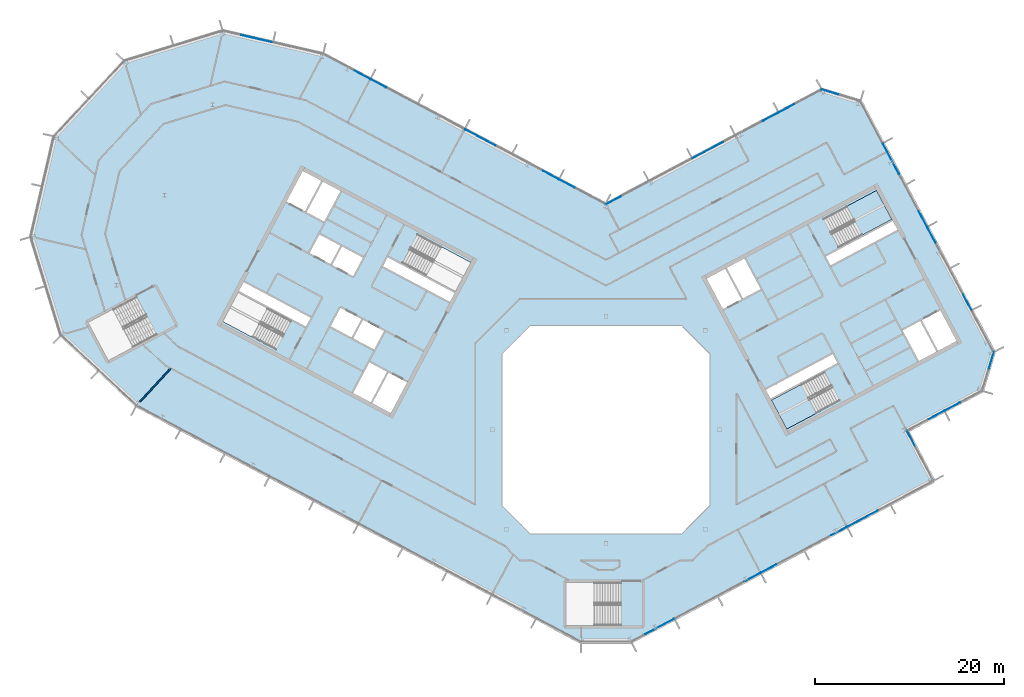
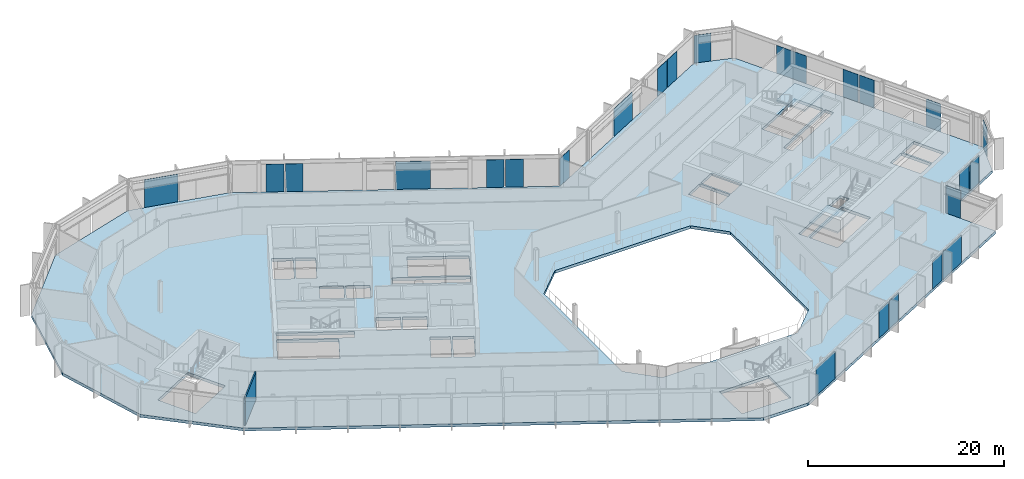
# One storey, part 12 of 26: 24 plates, 3 slabs, 1 wall, 11 elements without a shape of their own.
"""IFC4 building model written with IfcOpenShell, lengths in metres."""

from ifc_helpers import new_model, si_unit, direction, frame, frame_2d, origin, origin_2d, place, context, subcontext, project, spatial, polyline, rectangle, outline, extrude, material, layer, layer_set, type_object, element, aggregate, save


model = new_model("IFC4")

# Units and contexts
model_context = context("Model", 3, precision=1e-05, world=origin(), true_north=direction((0.0, 1.0)))
body_context = subcontext(model_context, "Body", "Model", "MODEL_VIEW")
ifc_project = project(units=[si_unit("LENGTHUNIT", "METRE"), si_unit("AREAUNIT", "SQUARE_METRE"), si_unit("VOLUMEUNIT", "CUBIC_METRE"), si_unit("PLANEANGLEUNIT", "RADIAN"), si_unit("MASSUNIT", "GRAM", prefix="KILO")], contexts=[model_context])

# Site, building, storey
site_placement = place(None, origin())
site = spatial("IfcSite", under=ifc_project, at=site_placement, CompositionType="ELEMENT")
building_placement = place(site_placement, origin())
building = spatial("IfcBuilding", under=site, at=building_placement, Name="Cormorant Relay Tower", CompositionType="ELEMENT")
storey_placement = place(building_placement, frame((0.0, 0.0, 316.5)))
storey = spatial("IfcBuildingStorey", under=building, at=storey_placement, Name="L72", CompositionType="ELEMENT", Elevation=316.5)

# Curtain wall, plates
ifc_material_1 = material(Name="Aluminium 6063-T6 anodised bronze", Category="aluminium")
ifc_layer_1 = layer(ifc_material_1, 0.199951171875)
ifc_layer_set_1 = layer_set([ifc_layer_1], Name="CW1 unitised bronze curtain wall with vertical fins")
curtain_wall_type = type_object("IfcCurtainWallType", Name="CW1 unitised bronze curtain wall with vertical fins", PredefinedType="NOTDEFINED", material=ifc_layer_set_1)
curtain_wall_1_placement = place(storey_placement, origin())
curtain_wall_1 = element("IfcCurtainWall", 1, at=curtain_wall_1_placement, inside=storey, type_object=curtain_wall_type, Name="CW1 curtain wall 2", PredefinedType="NOTDEFINED")
ifc_material_2 = material(Name="Tinted laminated glass", Category="glass")
ifc_layer_2 = layer(ifc_material_2, 0.0400390625)
ifc_layer_set_2 = layer_set([ifc_layer_2], Name="CW1 tinted vision panel 1800 module")
plate_type_1 = type_object("IfcPlateType", Name="CW1 tinted vision panel 1800 module", PredefinedType="CURTAIN_PANEL", material=ifc_layer_set_2)
plate_1_placement = place(storey_placement, frame((15.48291015625, -15.57421875, 0.0), z_axis=(0.0, 0.0, 1.0), x_axis=(0.882947592859, 0.469471562786, 0.0)))
plate_1 = element("IfcPlate", 2, at=plate_1_placement, type_object=plate_type_1, Name="CW1 panel V03", PredefinedType="CURTAIN_PANEL", context=body_context, shape_type="SweptSolid", body=[
    extrude(rectangle(XDim=1.800048828125, YDim=0.0400390625, at=origin_2d()), origin(), (0.0, 0.0, 1.0), 3.449951171875),
])
plate_2_placement = place(storey_placement, frame((17.20458984375, -14.65869140625, 0.0), z_axis=(0.0, 0.0, 1.0), x_axis=(0.882947592859, 0.469471562786, 0.0)))
plate_2 = element("IfcPlate", 3, at=plate_2_placement, type_object=plate_type_1, Name="CW1 panel V04", PredefinedType="CURTAIN_PANEL", context=body_context, shape_type="SweptSolid", body=[
    extrude(rectangle(XDim=1.800048828125, YDim=0.0400390625, at=origin_2d()), origin(), (0.0, 0.0, 1.0), 3.449951171875),
])
plate_3_placement = place(storey_placement, frame((24.6064453125, -10.72314453125, 0.0), z_axis=(0.0, 0.0, 1.0), x_axis=(0.882947592859, 0.469471562786, 0.0)))
plate_3 = element("IfcPlate", 4, at=plate_3_placement, type_object=plate_type_1, Name="CW1 panel V06", PredefinedType="CURTAIN_PANEL", context=body_context, shape_type="SweptSolid", body=[
    extrude(rectangle(XDim=1.800048828125, YDim=0.0400390625, at=origin_2d()), origin(), (0.0, 0.0, 1.0), 3.449951171875),
])

# Curtain wall, plate
curtain_wall_2_placement = place(storey_placement, origin())
curtain_wall_2 = element("IfcCurtainWall", 5, at=curtain_wall_2_placement, inside=storey, type_object=curtain_wall_type, Name="CW1 curtain wall 3", PredefinedType="NOTDEFINED")
plate_4_placement = place(storey_placement, frame((32.204833984375, -0.88427734375, 0.0), z_axis=(0.0, 0.0, 1.0), x_axis=(-0.469471562786, 0.882947592859, 0.0)))
plate_4 = element("IfcPlate", 6, at=plate_4_placement, type_object=plate_type_1, Name="CW1 panel V01", PredefinedType="CURTAIN_PANEL", context=body_context, shape_type="SweptSolid", body=[
    extrude(rectangle(XDim=1.800048828125, YDim=0.0400390625, at=origin_2d()), origin(), (0.0, 0.0, 1.0), 3.449951171875),
])
aggregate(curtain_wall_2, [plate_4])

# Curtain wall, plates
curtain_wall_3_placement = place(storey_placement, origin())
curtain_wall_3 = element("IfcCurtainWall", 7, at=curtain_wall_3_placement, inside=storey, type_object=curtain_wall_type, Name="CW1 curtain wall 4", PredefinedType="NOTDEFINED")
plate_5_placement = place(storey_placement, frame((34.886474609375, 1.5380859375, 0.0), z_axis=(0.0, 0.0, 1.0), x_axis=(0.882947592859, 0.469471562786, 0.0)))
plate_5 = element("IfcPlate", 8, at=plate_5_placement, type_object=plate_type_1, Name="CW1 panel V01", PredefinedType="CURTAIN_PANEL", context=body_context, shape_type="SweptSolid", body=[
    extrude(rectangle(XDim=1.800048828125, YDim=0.0400390625, at=origin_2d()), origin(), (0.0, 0.0, 1.0), 3.449951171875),
])
plate_6_placement = place(storey_placement, frame((36.608154296875, 2.45361328125, 0.0), z_axis=(0.0, 0.0, 1.0), x_axis=(0.882947592859, 0.469471562786, 0.0)))
plate_6 = element("IfcPlate", 9, at=plate_6_placement, type_object=plate_type_1, Name="CW1 panel V02", PredefinedType="CURTAIN_PANEL", context=body_context, shape_type="SweptSolid", body=[
    extrude(rectangle(XDim=1.800048828125, YDim=0.0400390625, at=origin_2d()), origin(), (0.0, 0.0, 1.0), 3.449951171875),
])
aggregate(curtain_wall_3, [plate_5, plate_6])

# Curtain wall, plate
curtain_wall_4_placement = place(storey_placement, origin())
curtain_wall_4 = element("IfcCurtainWall", 10, at=curtain_wall_4_placement, inside=storey, type_object=curtain_wall_type, Name="CW1 curtain wall 5", PredefinedType="NOTDEFINED")
plate_7_placement = place(storey_placement, frame((40.70751953125, 7.31689453125, 0.0), z_axis=(0.0, 0.0, 1.0), x_axis=(0.292371704723, 0.956304755963, 0.0)))
plate_7 = element("IfcPlate", 11, at=plate_7_placement, type_object=plate_type_1, Name="CW1 panel V01", PredefinedType="CURTAIN_PANEL", context=body_context, shape_type="SweptSolid", body=[
    extrude(rectangle(XDim=1.800048828125, YDim=0.0400390625, at=origin_2d()), origin(), (0.0, 0.0, 1.0), 3.449951171875),
])
aggregate(curtain_wall_4, [plate_7])

# Curtain wall, plates
curtain_wall_5_placement = place(storey_placement, origin())
curtain_wall_5 = element("IfcCurtainWall", 12, at=curtain_wall_5_placement, inside=storey, type_object=curtain_wall_type, Name="CW1 curtain wall 6", PredefinedType="NOTDEFINED")
plate_8_placement = place(storey_placement, frame((38.1640625, 13.468505859375, 0.0), z_axis=(0.0, 0.0, 1.0), x_axis=(-0.469471562786, 0.882947592859, 0.0)))
plate_8 = element("IfcPlate", 13, at=plate_8_placement, type_object=plate_type_1, Name="CW1 panel V01", PredefinedType="CURTAIN_PANEL", context=body_context, shape_type="SweptSolid", body=[
    extrude(rectangle(XDim=1.800048828125, YDim=0.0400390625, at=origin_2d()), origin(), (0.0, 0.0, 1.0), 3.449951171875),
])
plate_9_placement = place(storey_placement, frame((34.385009765625, 20.576171875, 0.0), z_axis=(0.0, 0.0, 1.0), x_axis=(-0.469471562786, 0.882947592859, 0.0)))
plate_9 = element("IfcPlate", 14, at=plate_9_placement, type_object=plate_type_1, Name="CW1 panel V03", PredefinedType="CURTAIN_PANEL", context=body_context, shape_type="SweptSolid", body=[
    extrude(rectangle(XDim=1.800048828125, YDim=0.0400390625, at=origin_2d()), origin(), (0.0, 0.0, 1.0), 3.449951171875),
])
plate_10_placement = place(storey_placement, frame((33.469482421875, 22.298095703125, 0.0), z_axis=(0.0, 0.0, 1.0), x_axis=(-0.469471562786, 0.882947592859, 0.0)))
plate_10 = element("IfcPlate", 15, at=plate_10_placement, type_object=plate_type_1, Name="CW1 panel V04", PredefinedType="CURTAIN_PANEL", context=body_context, shape_type="SweptSolid", body=[
    extrude(rectangle(XDim=1.800048828125, YDim=0.0400390625, at=origin_2d()), origin(), (0.0, 0.0, 1.0), 3.449951171875),
])

# Curtain wall, plate
curtain_wall_6_placement = place(storey_placement, origin())
curtain_wall_6 = element("IfcCurtainWall", 16, at=curtain_wall_6_placement, inside=storey, type_object=curtain_wall_type, Name="CW1 curtain wall 7", PredefinedType="NOTDEFINED")
plate_11_placement = place(storey_placement, frame((23.6767578125, 35.668212890625, 0.0), z_axis=(0.0, 0.0, 1.0), x_axis=(-0.956304755963, 0.292371704723, 0.0)))
plate_11 = element("IfcPlate", 17, at=plate_11_placement, type_object=plate_type_1, Name="CW1 panel V01", PredefinedType="CURTAIN_PANEL", context=body_context, shape_type="SweptSolid", body=[
    extrude(rectangle(XDim=1.800048828125, YDim=0.0400390625, at=origin_2d()), origin(), (0.0, 0.0, 1.0), 3.449951171875),
])
aggregate(curtain_wall_6, [plate_11])

# Curtain wall, plates
curtain_wall_7_placement = place(storey_placement, origin())
curtain_wall_7 = element("IfcCurtainWall", 18, at=curtain_wall_7_placement, inside=storey, type_object=curtain_wall_type, Name="CW1 curtain wall 8", PredefinedType="NOTDEFINED")
plate_12_placement = place(storey_placement, frame((19.099609375, 33.962158203125, 0.0), z_axis=(0.0, 0.0, 1.0), x_axis=(-0.882947592859, -0.469471562786, 0.0)))
plate_12 = element("IfcPlate", 19, at=plate_12_placement, type_object=plate_type_1, Name="CW1 panel V01", PredefinedType="CURTAIN_PANEL", context=body_context, shape_type="SweptSolid", body=[
    extrude(rectangle(XDim=1.800048828125, YDim=0.0400390625, at=origin_2d()), origin(), (0.0, 0.0, 1.0), 3.449951171875),
])
plate_13_placement = place(storey_placement, frame((17.3779296875, 33.046630859375, 0.0), z_axis=(0.0, 0.0, 1.0), x_axis=(-0.882947592859, -0.469471562786, 0.0)))
plate_13 = element("IfcPlate", 20, at=plate_13_placement, type_object=plate_type_1, Name="CW1 panel V02", PredefinedType="CURTAIN_PANEL", context=body_context, shape_type="SweptSolid", body=[
    extrude(rectangle(XDim=1.800048828125, YDim=0.0400390625, at=origin_2d()), origin(), (0.0, 0.0, 1.0), 3.449951171875),
])
plate_14_placement = place(storey_placement, frame((0.785400390625, 24.22412109375, 0.0), z_axis=(0.0, 0.0, 1.0), x_axis=(-0.882947592859, -0.469471562786, 0.0)))
plate_14 = element("IfcPlate", 21, at=plate_14_placement, type_object=plate_type_1, Name="CW1 panel V06", PredefinedType="CURTAIN_PANEL", context=body_context, shape_type="SweptSolid", body=[
    extrude(rectangle(XDim=1.800048828125, YDim=0.0400390625, at=origin_2d()), origin(), (0.0, 0.0, 1.0), 3.449951171875),
])

curtain_wall_8_placement = place(storey_placement, origin())
curtain_wall_8 = element("IfcCurtainWall", 22, at=curtain_wall_8_placement, inside=storey, type_object=curtain_wall_type, Name="CW1 curtain wall 9", PredefinedType="NOTDEFINED")
plate_15_placement = place(storey_placement, frame((-4.108642578125, 25.9912109375, 0.0), z_axis=(0.0, 0.0, 1.0), x_axis=(-0.882947592859, 0.469471562786, 0.0)))
plate_15 = element("IfcPlate", 23, at=plate_15_placement, type_object=plate_type_1, Name="CW1 panel V01", PredefinedType="CURTAIN_PANEL", context=body_context, shape_type="SweptSolid", body=[
    extrude(rectangle(XDim=1.800048828125, YDim=0.0400390625, at=origin_2d()), origin(), (0.0, 0.0, 1.0), 3.449951171875),
])
plate_16_placement = place(storey_placement, frame((-5.830322265625, 26.90673828125, 0.0), z_axis=(0.0, 0.0, 1.0), x_axis=(-0.882947592859, 0.469471562786, 0.0)))
plate_16 = element("IfcPlate", 24, at=plate_16_placement, type_object=plate_type_1, Name="CW1 panel V02", PredefinedType="CURTAIN_PANEL", context=body_context, shape_type="SweptSolid", body=[
    extrude(rectangle(XDim=1.800048828125, YDim=0.0400390625, at=origin_2d()), origin(), (0.0, 0.0, 1.0), 3.449951171875),
])
plate_17_placement = place(storey_placement, frame((-24.0244140625, 36.580810546875, 0.0), z_axis=(0.0, 0.0, 1.0), x_axis=(-0.882947592859, 0.469471562786, 0.0)))
plate_17 = element("IfcPlate", 25, at=plate_17_placement, type_object=plate_type_1, Name="CW1 panel V06", PredefinedType="CURTAIN_PANEL", context=body_context, shape_type="SweptSolid", body=[
    extrude(rectangle(XDim=1.800048828125, YDim=0.0400390625, at=origin_2d()), origin(), (0.0, 0.0, 1.0), 3.449951171875),
])
plate_18_placement = place(storey_placement, frame((-25.746337890625, 37.49609375, 0.0), z_axis=(0.0, 0.0, 1.0), x_axis=(-0.882947592859, 0.469471562786, 0.0)))
plate_18 = element("IfcPlate", 26, at=plate_18_placement, type_object=plate_type_1, Name="CW1 panel V07", PredefinedType="CURTAIN_PANEL", context=body_context, shape_type="SweptSolid", body=[
    extrude(rectangle(XDim=1.800048828125, YDim=0.0400390625, at=origin_2d()), origin(), (0.0, 0.0, 1.0), 3.449951171875),
])

# Plate
ifc_material_3 = material(Name="Tinted laminated glass", Category="glass")
ifc_layer_3 = layer(ifc_material_3, 0.0400390625)
ifc_layer_set_3 = layer_set([ifc_layer_3], Name="CW1 tinted vision panel 3600 module")
plate_type_2 = type_object("IfcPlateType", Name="CW1 tinted vision panel 3600 module", PredefinedType="CURTAIN_PANEL", material=ifc_layer_set_3)
plate_19_placement = place(storey_placement, frame((5.564453125, -20.847900390625, 0.0), z_axis=(0.0, 0.0, 1.0), x_axis=(0.882947592859, 0.469471562786, 0.0)))
plate_19 = element("IfcPlate", 27, at=plate_19_placement, type_object=plate_type_2, Name="CW1 panel V01", PredefinedType="CURTAIN_PANEL", context=body_context, shape_type="SweptSolid", body=[
    extrude(rectangle(XDim=3.60009765625, YDim=0.0400390625, at=origin_2d()), origin(), (0.0, 0.0, 1.0), 3.449951171875),
])

plate_20_placement = place(storey_placement, frame((27.122802734375, -9.38525390625, 0.0), z_axis=(0.0, 0.0, 1.0), x_axis=(0.882947592859, 0.469471562786, 0.0)))
plate_20 = element("IfcPlate", 28, at=plate_20_placement, type_object=plate_type_2, Name="CW1 panel V07", PredefinedType="CURTAIN_PANEL", context=body_context, shape_type="SweptSolid", body=[
    extrude(rectangle(XDim=3.60009765625, YDim=0.0400390625, at=origin_2d()), origin(), (0.0, 0.0, 1.0), 3.449951171875),
])

aggregate(curtain_wall_1, [plate_19, plate_1, plate_2, plate_3, plate_20])

plate_21_placement = place(storey_placement, frame((30.11279296875, 28.611083984375, 0.0), z_axis=(0.0, 0.0, 1.0), x_axis=(-0.469471562786, 0.882947592859, 0.0)))
plate_21 = element("IfcPlate", 29, at=plate_21_placement, type_object=plate_type_2, Name="CW1 panel V06", PredefinedType="CURTAIN_PANEL", context=body_context, shape_type="SweptSolid", body=[
    extrude(rectangle(XDim=3.60009765625, YDim=0.0400390625, at=origin_2d()), origin(), (0.0, 0.0, 1.0), 3.449951171875),
])

aggregate(curtain_wall_5, [plate_8, plate_9, plate_10, plate_21])

plate_22_placement = place(storey_placement, frame((10.770263671875, 29.533203125, 0.0), z_axis=(0.0, 0.0, 1.0), x_axis=(-0.882947592859, -0.469471562786, 0.0)))
plate_22 = element("IfcPlate", 30, at=plate_22_placement, type_object=plate_type_2, Name="CW1 panel V04", PredefinedType="CURTAIN_PANEL", context=body_context, shape_type="SweptSolid", body=[
    extrude(rectangle(XDim=3.60009765625, YDim=0.0400390625, at=origin_2d()), origin(), (0.0, 0.0, 1.0), 3.449951171875),
])

aggregate(curtain_wall_7, [plate_12, plate_13, plate_22, plate_14])

plate_23_placement = place(storey_placement, frame((-13.27197265625, 30.86328125, 0.0), z_axis=(0.0, 0.0, 1.0), x_axis=(-0.882947592859, 0.469471562786, 0.0)))
plate_23 = element("IfcPlate", 31, at=plate_23_placement, type_object=plate_type_2, Name="CW1 panel V04", PredefinedType="CURTAIN_PANEL", context=body_context, shape_type="SweptSolid", body=[
    extrude(rectangle(XDim=3.60009765625, YDim=0.0400390625, at=origin_2d()), origin(), (0.0, 0.0, 1.0), 3.449951171875),
])

aggregate(curtain_wall_8, [plate_15, plate_16, plate_23, plate_17, plate_18])

# Curtain wall, plate
curtain_wall_9_placement = place(storey_placement, origin())
curtain_wall_9 = element("IfcCurtainWall", 32, at=curtain_wall_9_placement, inside=storey, type_object=curtain_wall_type, Name="CW1 curtain wall 10", PredefinedType="NOTDEFINED")
plate_24_placement = place(storey_placement, frame((-36.9921875, 41.33203125, 0.0), z_axis=(0.0, 0.0, 1.0), x_axis=(-0.974370064785, 0.224951054344, 0.0)))
plate_24 = element("IfcPlate", 33, at=plate_24_placement, type_object=plate_type_2, Name="CW1 panel V02", PredefinedType="CURTAIN_PANEL", context=body_context, shape_type="SweptSolid", body=[
    extrude(rectangle(XDim=3.60009765625, YDim=0.0400390625, at=origin_2d()), origin(), (0.0, 0.0, 1.0), 3.449951171875),
])
aggregate(curtain_wall_9, [plate_24])

# Stair, slab
ifc_material_4 = material(Name="Concrete 40 MPa", Category="concrete")
stair_type = type_object("IfcStairType", Name="Exit stair 1500", PredefinedType="HALF_TURN_STAIR", material=ifc_material_4)
stair_1_placement = place(storey_placement, origin())
stair_1 = element("IfcStair", 34, at=stair_1_placement, inside=storey, type_object=stair_type, Name="L72 Stair", PredefinedType="HALF_TURN_STAIR")
ifc_material_5 = material(Name="Concrete 40 MPa", Category="concrete")
ifc_layer_4 = layer(ifc_material_5, 0.199951171875)
ifc_layer_set_4 = layer_set([ifc_layer_4], Name="Exit stair landing 200")
slab_type_1 = type_object("IfcSlabType", Name="Exit stair landing 200", PredefinedType="LANDING", material=ifc_layer_set_4)
slab_1_placement = place(storey_placement, frame((0.0, 0.0, 1.75)))
slab_1 = element("IfcSlab", 35, at=slab_1_placement, type_object=slab_type_1, Name="B1 landing 1", PredefinedType="LANDING", context=body_context, shape_type="SweptSolid", body=[
    extrude(outline(polyline([(20.614990234375, 4.78857421875), (17.48046875, 3.1220703125), (19.10009765625, 0.075927734375), (22.234619140625, 1.742431640625), (20.614990234375, 4.78857421875)])), origin(), (0.0, 0.0, 1.0), 0.199951171875),
])
aggregate(stair_1, [slab_1])

stair_2_placement = place(storey_placement, origin())
stair_2 = element("IfcStair", 36, at=stair_2_placement, inside=storey, type_object=stair_type, Name="L72 Stair", PredefinedType="HALF_TURN_STAIR")
slab_2_placement = place(storey_placement, frame((0.0, 0.0, 1.75)))
slab_2 = element("IfcSlab", 37, at=slab_2_placement, type_object=slab_type_1, Name="B2 landing 1", PredefinedType="LANDING", context=body_context, shape_type="SweptSolid", body=[
    extrude(outline(polyline([(27.064208984375, 20.562744140625), (30.19873046875, 22.2294921875), (28.5791015625, 25.275634765625), (25.444580078125, 23.60888671875), (27.064208984375, 20.562744140625)])), origin(), (0.0, 0.0, 1.0), 0.199951171875),
])
aggregate(stair_2, [slab_2])

# Slab
ifc_material_6 = material(Name="Concrete 40 MPa", Category="concrete")
ifc_layer_5 = layer(ifc_material_6, 0.360107421875)
ifc_layer_set_5 = layer_set([ifc_layer_5], Name="Flat plate 360")
slab_type_2 = type_object("IfcSlabType", Name="Flat plate 360", PredefinedType="FLOOR", material=ifc_layer_set_5)
slab_3_placement = place(storey_placement, frame((0.0, 0.0, -0.360107421875)))
element("IfcSlab", 38, at=slab_3_placement, inside=storey, type_object=slab_type_2, Name="Floor slab L72", PredefinedType="FLOOR", context=body_context, shape_type="SweptSolid", body=[
    extrude(outline(polyline([(-60.7197265625, 20.393310546875), (-58.2744140625, 30.985107421875), (-50.86083984375, 38.935302734375), (-40.465576171875, 42.11328125), (-29.873779296875, 39.668212890625), (0.0, 23.783935546875), (22.810302734375, 35.912353515625), (26.867431640625, 34.671875), (40.95166015625, 8.18359375), (39.711181640625, 4.126220703125), (31.7646484375, -0.09912109375), (34.581298828125, -5.396728515625), (2.648681640625, -22.37548828125), (-2.648681640625, -22.37548828125), (-49.591552734375, 2.584228515625), (-57.541748046875, 9.997802734375), (-60.7197265625, 20.393310546875)]), holes=[polyline([(11.0, -8.0), (11.0, 8.0), (8.0, 11.0), (-8.0, 11.0), (-11.0, 8.0), (-11.0, -8.0), (-8.0, -11.0), (8.0, -11.0), (11.0, -8.0)]), polyline([(-22.95458984375, 6.03271484375), (-24.668212890625, 2.81005859375), (-22.725830078125, 1.777099609375), (-21.01220703125, 5.0), (-23.04296875, 6.07958984375), (-22.95458984375, 6.03271484375)]), polyline([(-24.985595703125, 7.112548828125), (-26.69921875, 3.889892578125), (-24.844970703125, 2.90380859375), (-23.13134765625, 6.126708984375), (-23.04296875, 6.07958984375), (-24.985595703125, 7.112548828125)]), polyline([(-24.481201171875, 8.48681640625), (-23.448486328125, 10.42919921875), (-25.656005859375, 11.602783203125), (-26.688720703125, 9.660400390625), (-24.481201171875, 8.48681640625)]), polyline([(-49.57861328125, 14.0537109375), (-54.69970703125, 11.330810546875), (-52.563720703125, 7.3134765625), (-47.442626953125, 10.036376953125), (-49.57861328125, 14.0537109375)]), polyline([(-25.83251953125, 11.69677734375), (-28.039794921875, 12.870361328125), (-29.07275390625, 10.927978515625), (-26.865234375, 9.75439453125), (-25.83251953125, 11.69677734375)]), polyline([(-38.847900390625, 14.483154296875), (-40.46728515625, 11.43701171875), (-34.860595703125, 8.455810546875), (-33.240966796875, 11.502197265625), (-38.847900390625, 14.483154296875)]), polyline([(-38.260986328125, 15.5869140625), (-38.75390625, 14.659912109375), (-31.690185546875, 10.904052734375), (-31.197265625, 11.8310546875), (-38.260986328125, 15.5869140625)]), polyline([(-26.702880859375, 16.23681640625), (-25.670166015625, 18.17919921875), (-27.87744140625, 19.35302734375), (-28.910400390625, 17.410400390625), (-26.702880859375, 16.23681640625)]), polyline([(-31.294189453125, 18.677978515625), (-29.0869140625, 17.50439453125), (-28.053955078125, 19.447021484375), (-30.261474609375, 20.62060546875), (-31.294189453125, 18.677978515625)]), polyline([(-31.611572265625, 22.980712890625), (-29.75732421875, 21.99462890625), (-28.043701171875, 25.217529296875), (-29.89794921875, 26.203369140625), (-31.611572265625, 22.980712890625)]), polyline([(-32.01708984375, 27.330078125), (-33.73046875, 24.107421875), (-31.7880859375, 23.074462890625), (-30.074462890625, 26.29736328125), (-32.01708984375, 27.330078125)]), polyline([(-4.199951171875, -16.125), (-4.199951171875, -20.675048828125), (1.60009765625, -20.675048828125), (1.60009765625, -16.125), (-4.199951171875, -16.125)]), polyline([(17.48046875, 3.1220703125), (19.10009765625, 0.07568359375), (24.706787109375, 3.056884765625), (23.087158203125, 6.10302734375), (17.48046875, 3.1220703125)]), polyline([(17.386474609375, 3.298583984375), (24.4501953125, 7.054443359375), (23.957275390625, 7.9814453125), (16.8935546875, 4.2255859375), (17.386474609375, 3.298583984375)]), polyline([(33.197021484375, 11.478515625), (31.3427734375, 10.49267578125), (33.056396484375, 7.27001953125), (34.910400390625, 8.255859375), (33.197021484375, 11.478515625)]), polyline([(33.37353515625, 11.572509765625), (35.087158203125, 8.349609375), (37.029541015625, 9.382568359375), (35.31591796875, 12.605224609375), (33.37353515625, 11.572509765625)]), polyline([(14.3056640625, 13.779052734375), (12.592041015625, 17.001708984375), (10.649658203125, 15.968994140625), (12.36328125, 12.74609375), (14.39404296875, 13.825927734375), (14.3056640625, 13.779052734375)]), polyline([(16.33642578125, 14.85888671875), (14.622802734375, 18.08154296875), (12.768798828125, 17.095703125), (14.482421875, 13.872802734375), (14.39404296875, 13.825927734375), (16.33642578125, 14.85888671875)]), polyline([(-16.481689453125, 13.520263671875), (-15.989013671875, 14.447509765625), (-23.052490234375, 18.203125), (-23.54541015625, 17.276123046875), (-16.481689453125, 13.520263671875)]), polyline([(-15.89501953125, 14.6240234375), (-14.275390625, 17.670166015625), (-19.882080078125, 20.6513671875), (-21.501708984375, 17.605224609375), (-15.89501953125, 14.6240234375)]), polyline([(30.78564453125, 21.125732421875), (30.29248046875, 22.052978515625), (23.22900390625, 18.297119140625), (23.721923828125, 17.3701171875), (30.78564453125, 21.125732421875)]), polyline([(24.592041015625, 19.248291015625), (30.19873046875, 22.2294921875), (28.5791015625, 25.275634765625), (22.972412109375, 22.29443359375), (24.592041015625, 19.248291015625)])]), origin(), (0.0, 0.0, 1.0), 0.360107421875),
])

# Wall
ifc_material_7 = material(Name="Gypsum board partition")
ifc_layer_6 = layer(ifc_material_7, 0.14990234375)
ifc_layer_set_6 = layer_set([ifc_layer_6], Name="Tenant partition 150")
wall_type = type_object("IfcWallType", Name="Tenant partition 150", PredefinedType="PARTITIONING", material=ifc_layer_set_6)
wall_placement = place(storey_placement, frame((-45.955078125, 6.48388671875, 0.0), z_axis=(0.0, 0.0, 1.0), x_axis=(-0.681984927176, -0.731366227758, 0.0)))
element("IfcWall", 39, at=wall_placement, inside=storey, type_object=wall_type, Name="wall/L72/part/027", PredefinedType="PARTITIONING", context=body_context, shape_type="SweptSolid", body=[
    extrude(rectangle(XDim=4.85498046875, YDim=0.14990234375, at=frame_2d((2.427490234375, 0.0))), origin(), (0.0, 0.0, 1.0), 3.449951171875),
])

save(model, "model.ifc")
